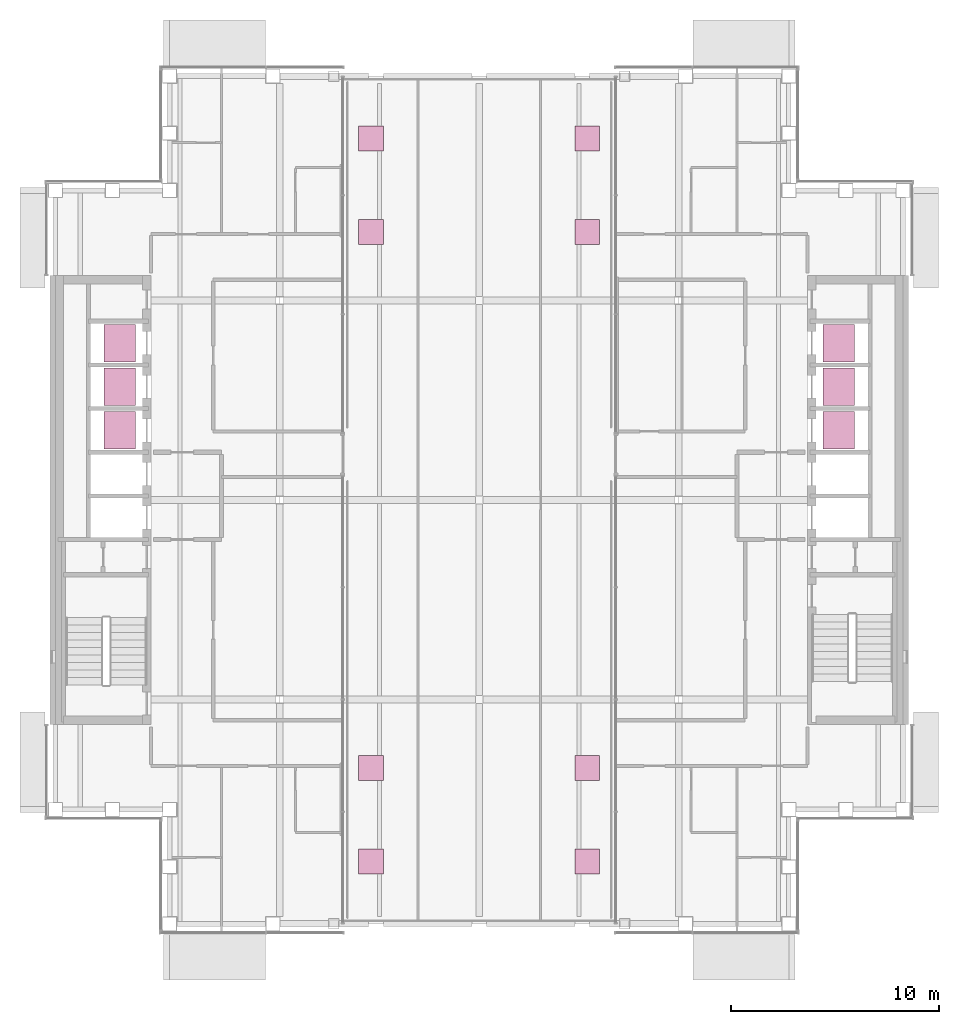
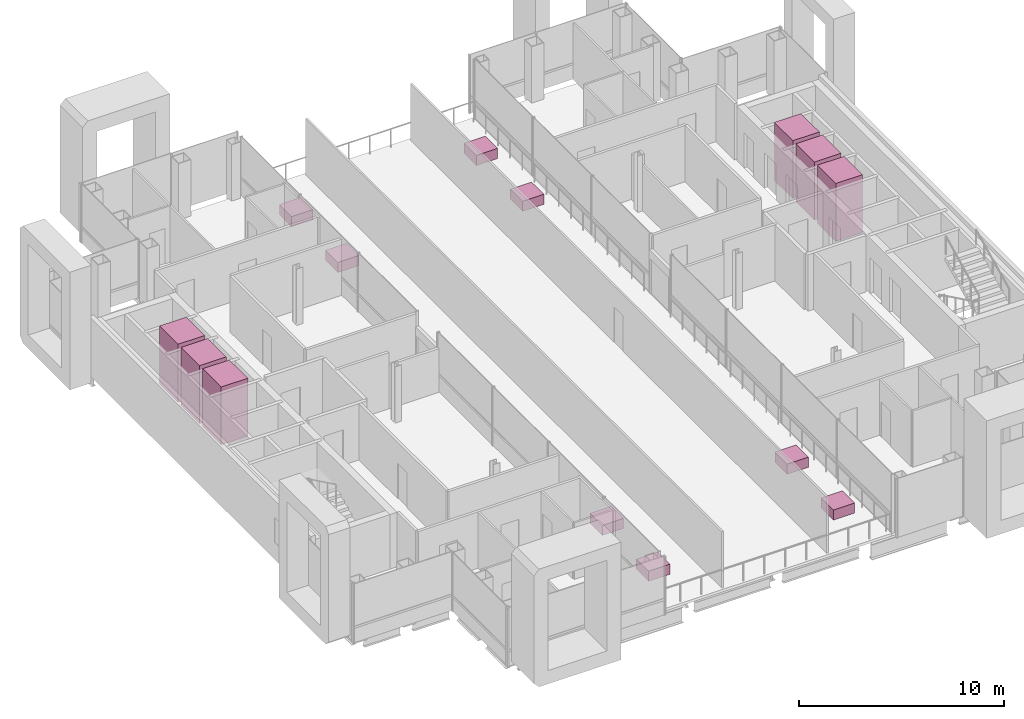
# One storey, part 17 of 17: 8 furniture elements, 6 transport elements.
"""IFC4 building model written with IfcOpenShell, lengths in metres."""

from ifc_helpers import new_model, si_unit, direction, frame, origin, origin_2d, place, context, subcontext, project, spatial, rectangle, extrude, material, type_object, element, save


model = new_model("IFC4")

# Units and contexts
model_context = context("Model", 3, precision=1e-05, world=origin(), true_north=direction((0.0, 1.0)))
body_context = subcontext(model_context, "Body", "Model", "MODEL_VIEW")
ifc_project = project(units=[si_unit("LENGTHUNIT", "METRE"), si_unit("AREAUNIT", "SQUARE_METRE"), si_unit("VOLUMEUNIT", "CUBIC_METRE"), si_unit("PLANEANGLEUNIT", "RADIAN"), si_unit("MASSUNIT", "GRAM", prefix="KILO")], contexts=[model_context])

# Site, building, storey
site_placement = place(None, origin())
site = spatial("IfcSite", under=ifc_project, at=site_placement, CompositionType="ELEMENT")
building_placement = place(site_placement, origin())
building = spatial("IfcBuilding", under=site, at=building_placement, Name="Cobrizo Arcos Hotel Tower", CompositionType="ELEMENT")
storey_placement = place(building_placement, frame((0.0, 0.0, 219.0)))
storey = spatial("IfcBuildingStorey", under=building, at=storey_placement, Name="L57", CompositionType="ELEMENT", Elevation=219.0)

# Transport elements
ifc_material = material(Name="Stainless steel car", Category="steel")
transport_element_type = type_object("IfcTransportElementType", Name="Lift car High 1.8x1.5", PredefinedType="ELEVATOR", material=ifc_material)
for number, where, z_axis, x_axis, name in (
    (1, (-17.300048828125, 3.35009765625, 0.0), (0.0, 0.0, 1.0), (1.0, 0.0, 0.0), "High-rise passenger lift W1"),
    (2, (-17.300048828125, 5.449951171875, 0.0), (0.0, 0.0, 1.0), (1.0, 0.0, 0.0), "High-rise passenger lift W2"),
    (3, (-17.300048828125, 7.550048828125, 0.0), (0.0, 0.0, 1.0), (1.0, 0.0, 0.0), "High-rise passenger lift W3"),
    (4, (17.300048828125, 3.35009765625, 0.0), (0.0, 0.0, 1.0), (1.0, 0.0, 0.0), "High-rise passenger lift E1"),
    (5, (17.300048828125, 5.449951171875, 0.0), (0.0, 0.0, 1.0), (1.0, 0.0, 0.0), "High-rise passenger lift E2"),
    (6, (17.300048828125, 7.550048828125, 0.0), (0.0, 0.0, 1.0), (1.0, 0.0, 0.0), "High-rise passenger lift E3"),
):
    element("IfcTransportElement", number, at=place(storey_placement, frame(where, z_axis=z_axis, x_axis=x_axis)), inside=storey, type_object=transport_element_type, Name=name, PredefinedType="ELEVATOR", context=body_context, shape_type="SweptSolid", body=[
        extrude(rectangle(XDim=1.5, YDim=1.800048828125, at=origin_2d()), origin(), (0.0, 0.0, 1.0), 3.449951171875),
    ])

# Furniture
for number, where, z_axis, x_axis, name in (
    (7, (-5.199951171875, -17.39990234375, 0.0), (0.0, 0.0, 1.0), (1.0, 0.0, 0.0), "Planter L57-1"),
    (8, (5.199951171875, -17.39990234375, 0.0), (0.0, 0.0, 1.0), (1.0, 0.0, 0.0), "Planter L57-2"),
    (9, (-5.199951171875, -12.89990234375, 0.0), (0.0, 0.0, 1.0), (1.0, 0.0, 0.0), "Planter L57-3"),
    (10, (5.199951171875, -12.89990234375, 0.0), (0.0, 0.0, 1.0), (1.0, 0.0, 0.0), "Planter L57-4"),
    (11, (-5.199951171875, 12.89990234375, 0.0), (0.0, 0.0, 1.0), (1.0, 0.0, 0.0), "Planter L57-5"),
    (12, (5.199951171875, 12.89990234375, 0.0), (0.0, 0.0, 1.0), (1.0, 0.0, 0.0), "Planter L57-6"),
    (13, (-5.199951171875, 17.39990234375, 0.0), (0.0, 0.0, 1.0), (1.0, 0.0, 0.0), "Planter L57-7"),
    (14, (5.199951171875, 17.39990234375, 0.0), (0.0, 0.0, 1.0), (1.0, 0.0, 0.0), "Planter L57-8"),
):
    element("IfcFurniture", number, at=place(storey_placement, frame(where, z_axis=z_axis, x_axis=x_axis)), inside=storey, Name=name, ObjectType="PLANTER", PredefinedType="USERDEFINED", context=body_context, shape_type="SweptSolid", body=[
        extrude(rectangle(XDim=1.199951171875, YDim=1.199951171875, at=origin_2d()), origin(), (0.0, 0.0, 1.0), 0.60009765625),
    ])

save(model, "model.ifc")
